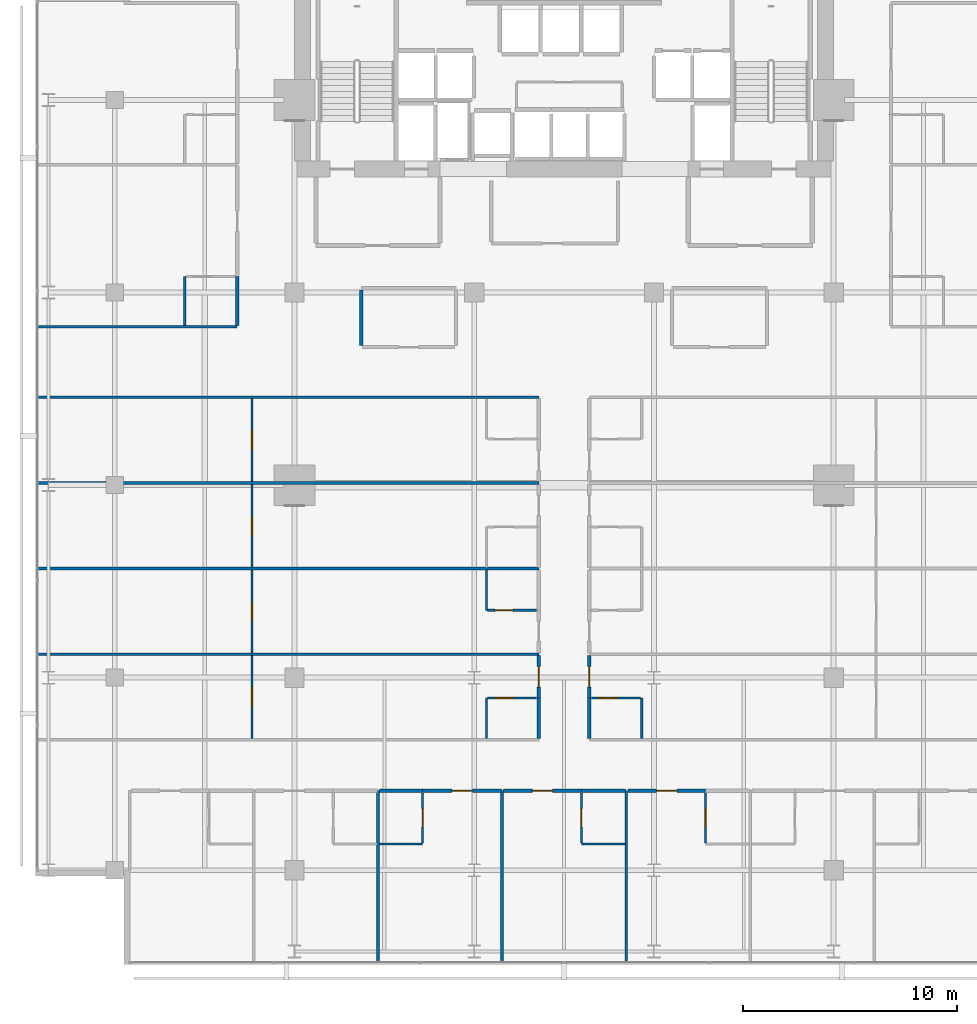
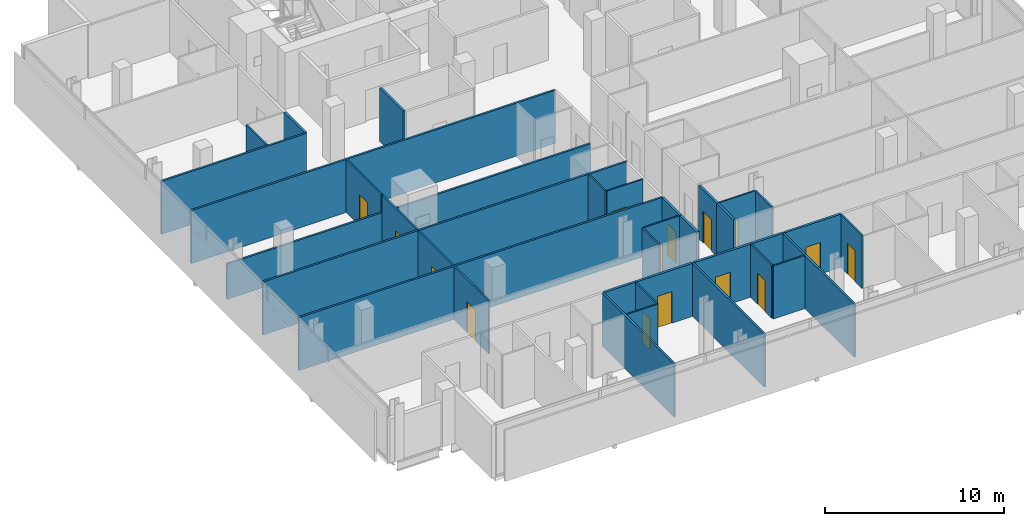
# One storey, part 27 of 34: 35 walls, 15 doors, 15 openings.
"""IFC4 building model written with IfcOpenShell, lengths in metres."""

from ifc_helpers import new_model, si_unit, direction, frame, frame_2d, origin, place, context, subcontext, project, spatial, rectangle, extrude, material, layer, layer_set, type_object, element, fill, save


model = new_model("IFC4")

# Units and contexts
model_context = context("Model", 3, precision=1e-05, world=origin(), true_north=direction((0.0, 1.0)))
body_context = subcontext(model_context, "Body", "Model", "MODEL_VIEW")
ifc_project = project(units=[si_unit("LENGTHUNIT", "METRE"), si_unit("AREAUNIT", "SQUARE_METRE"), si_unit("VOLUMEUNIT", "CUBIC_METRE"), si_unit("PLANEANGLEUNIT", "RADIAN"), si_unit("MASSUNIT", "GRAM", prefix="KILO")], contexts=[model_context])

# Site, building, storey
site_placement = place(None, origin())
site = spatial("IfcSite", under=ifc_project, at=site_placement, CompositionType="ELEMENT")
building_placement = place(site_placement, origin())
building = spatial("IfcBuilding", under=site, at=building_placement, Name="Maruvema Waterfront Hotel and Observation Tower", CompositionType="ELEMENT")
storey_placement = place(building_placement, frame((0.0, 0.0, 127.39990234375)))
storey = spatial("IfcBuildingStorey", under=building, at=storey_placement, Name="L30", CompositionType="ELEMENT", Elevation=127.39990234375)

# Walls
ifc_material_1 = material(Name="Twin-stud acoustic gypsum drywall", Category="gypsum")
ifc_layer_1 = layer(ifc_material_1, 0.14990234375, Name="Acoustic Corridor and Suite Demising Wall 150 mm")
ifc_layer_set_1 = layer_set([ifc_layer_1], Name="Twin-stud acoustic gypsum drywall")
wall_type_1 = type_object("IfcWallType", Name="Acoustic Corridor and Suite Demising Wall 150 mm", PredefinedType="PARTITIONING", material=ifc_layer_set_1)
wall_1_placement = place(storey_placement, frame((28.320068359375, 33.530029296875, 0.0), z_axis=(0.0, 0.0, 1.0), x_axis=(0.0, 1.0, 0.0)))
element("IfcWall", 1, at=wall_1_placement, inside=storey, type_object=wall_type_1, Name="L30 L30-M1 West Wall 017", PredefinedType="PARTITIONING", context=body_context, shape_type="SweptSolid", body=[
    extrude(rectangle(XDim=2.590087890625, YDim=0.14990234375, at=frame_2d((1.294921875, 0.0))), origin(), (0.0, 0.0, 1.0), 3.610107421875),
])
wall_2_placement = place(storey_placement, frame((29.179931640625, 12.719970703125, 0.0), z_axis=(0.0, 0.0, 1.0), x_axis=(1.0, 0.0, 0.0)))
element("IfcWall", 2, at=wall_2_placement, inside=storey, type_object=wall_type_1, Name="L30 Bath L30-S3 Back Wall 036", PredefinedType="PARTITIONING", context=body_context, shape_type="SweptSolid", body=[
    extrude(rectangle(XDim=2.010009765625, YDim=0.14990234375, at=frame_2d((1.0048828125, 0.0))), origin(), (0.0, 0.0, 1.0), 3.610107421875),
])

# Wall, opening, door
wall_3_placement = place(storey_placement, frame((31.18994140625, 12.719970703125, 0.0), z_axis=(0.0, 0.0, 1.0), x_axis=(1.0, 0.0, 0.0)))
wall_3 = element("IfcWall", 3, at=wall_3_placement, inside=storey, type_object=wall_type_1, Name="L30 Unit L30-S3 Corridor Wall 039", PredefinedType="PARTITIONING", context=body_context, shape_type="SweptSolid", body=[
    extrude(rectangle(XDim=3.68994140625, YDim=0.14990234375, at=frame_2d((1.844970703125, 0.0))), origin(), (0.0, 0.0, 1.0), 3.610107421875),
])
opening_1_placement = place(wall_3_placement, frame((1.3701171875, 0.0, 0.0)))
opening_1 = element("IfcOpeningElement", 4, at=opening_1_placement, cuts=wall_3, Name="Opening DR-095", PredefinedType="OPENING", context=body_context, shape_type="SweptSolid", body=[
    extrude(rectangle(XDim=0.949951171875, YDim=2.14990234375, at=frame_2d((0.47509765625, 1.074951171875))), frame((0.0, 0.0849609375, 0.0), z_axis=(0.0, -1.0, 0.0), x_axis=(1.0, 0.0, 0.0)), (0.0, 0.0, 1.0), 0.169921875),
])
ifc_material_2 = material(Name="Acoustic solid-core hardwood timber leaf", Category="wood")
door_type_1 = type_object("IfcDoorType", Name="Guestroom Entrance Fire Door 950x2150 mm", OperationType="NOTDEFINED", PredefinedType="DOOR", material=ifc_material_2)
door_1_placement = place(opening_1_placement, frame((0.949951171875, 0.0, 0.0), z_axis=(0.0, 0.0, 1.0), x_axis=(-1.0, 0.0, 0.0)))
door_1 = element("IfcDoor", 5, at=door_1_placement, inside=storey, type_object=door_type_1, Name="L30 Unit L30-S3 Entrance Door", OperationType="SINGLE_SWING_RIGHT", OverallHeight=2.14990234375, OverallWidth=0.949951171875, PredefinedType="DOOR", context=body_context, shape_type="SweptSolid", body=[
    extrude(rectangle(XDim=0.949951171875, YDim=2.14990234375, at=frame_2d((0.47509765625, 1.074951171875))), frame((0.0, 0.02490234375, 0.0), z_axis=(0.0, -1.0, 0.0), x_axis=(1.0, 0.0, 0.0)), (0.0, 0.0, 1.0), 0.050048828125),
])
fill(opening_1, door_1)

# Wall
wall_4_placement = place(storey_placement, frame((38.610107421875, 12.719970703125, 0.0), z_axis=(0.0, 0.0, 1.0), x_axis=(1.0, 0.0, 0.0)))
element("IfcWall", 6, at=wall_4_placement, inside=storey, type_object=wall_type_1, Name="L30 Bath L30-S4 Back Wall 041", PredefinedType="PARTITIONING", context=body_context, shape_type="SweptSolid", body=[
    extrude(rectangle(XDim=2.06982421875, YDim=0.14990234375, at=frame_2d((1.034912109375, 0.0))), origin(), (0.0, 0.0, 1.0), 3.610107421875),
])

# Wall, opening, door
wall_5_placement = place(storey_placement, frame((34.97998046875, 12.719970703125, 0.0), z_axis=(0.0, 0.0, 1.0), x_axis=(1.0, 0.0, 0.0)))
wall_5 = element("IfcWall", 7, at=wall_5_placement, inside=storey, type_object=wall_type_1, Name="L30 Unit L30-S4 Corridor Wall 044", PredefinedType="PARTITIONING", context=body_context, shape_type="SweptSolid", body=[
    extrude(rectangle(XDim=3.630126953125, YDim=0.14990234375, at=frame_2d((1.81494140625, 0.0))), origin(), (0.0, 0.0, 1.0), 3.610107421875),
])
opening_2_placement = place(wall_5_placement, frame((1.340087890625, 0.0, 0.0)))
opening_2 = element("IfcOpeningElement", 8, at=opening_2_placement, cuts=wall_5, Name="Opening DR-095", PredefinedType="OPENING", context=body_context, shape_type="SweptSolid", body=[
    extrude(rectangle(XDim=0.949951171875, YDim=2.14990234375, at=frame_2d((0.47509765625, 1.074951171875))), frame((0.0, 0.0849609375, 0.0), z_axis=(0.0, -1.0, 0.0), x_axis=(1.0, 0.0, 0.0)), (0.0, 0.0, 1.0), 0.169921875),
])
door_2_placement = place(opening_2_placement, frame((0.949951171875, 0.0, 0.0), z_axis=(0.0, 0.0, 1.0), x_axis=(-1.0, 0.0, 0.0)))
door_2 = element("IfcDoor", 9, at=door_2_placement, inside=storey, type_object=door_type_1, Name="L30 Unit L30-S4 Entrance Door", OperationType="SINGLE_SWING_RIGHT", OverallHeight=2.14990234375, OverallWidth=0.949951171875, PredefinedType="DOOR", context=body_context, shape_type="SweptSolid", body=[
    extrude(rectangle(XDim=0.949951171875, YDim=2.14990234375, at=frame_2d((0.47509765625, 1.074951171875))), frame((0.0, 0.02490234375, 0.0), z_axis=(0.0, -1.0, 0.0), x_axis=(1.0, 0.0, 0.0)), (0.0, 0.0, 1.0), 0.050048828125),
])
fill(opening_2, door_2)

wall_6_placement = place(storey_placement, frame((40.780029296875, 12.719970703125, 0.0), z_axis=(0.0, 0.0, 1.0), x_axis=(1.0, 0.0, 0.0)))
wall_6 = element("IfcWall", 10, at=wall_6_placement, inside=storey, type_object=wall_type_1, Name="L30 Unit L30-S5 Corridor Wall 049", PredefinedType="PARTITIONING", context=body_context, shape_type="SweptSolid", body=[
    extrude(rectangle(XDim=3.6298828125, YDim=0.14990234375, at=frame_2d((1.81494140625, 0.0))), origin(), (0.0, 0.0, 1.0), 3.610107421875),
])
opening_3_placement = place(wall_6_placement, frame((1.340087890625, 0.0, 0.0)))
opening_3 = element("IfcOpeningElement", 11, at=opening_3_placement, cuts=wall_6, Name="Opening DR-095", PredefinedType="OPENING", context=body_context, shape_type="SweptSolid", body=[
    extrude(rectangle(XDim=0.949951171875, YDim=2.14990234375, at=frame_2d((0.47509765625, 1.074951171875))), frame((0.0, 0.0849609375, 0.0), z_axis=(0.0, -1.0, 0.0), x_axis=(1.0, 0.0, 0.0)), (0.0, 0.0, 1.0), 0.169921875),
])
door_3_placement = place(opening_3_placement, frame((0.949951171875, 0.0, 0.0), z_axis=(0.0, 0.0, 1.0), x_axis=(-1.0, 0.0, 0.0)))
door_3 = element("IfcDoor", 12, at=door_3_placement, inside=storey, type_object=door_type_1, Name="L30 Unit L30-S5 Entrance Door", OperationType="SINGLE_SWING_RIGHT", OverallHeight=2.14990234375, OverallWidth=0.949951171875, PredefinedType="DOOR", context=body_context, shape_type="SweptSolid", body=[
    extrude(rectangle(XDim=0.949951171875, YDim=2.14990234375, at=frame_2d((0.47509765625, 1.074951171875))), frame((0.0, 0.02490234375, 0.0), z_axis=(0.0, -1.0, 0.0), x_axis=(1.0, 0.0, 0.0)), (0.0, 0.0, 1.0), 0.050048828125),
])
fill(opening_3, door_3)

# Wall
wall_7_placement = place(storey_placement, frame((36.6201171875, 15.159912109375, 0.0), z_axis=(0.0, 0.0, 1.0), x_axis=(0.0, 1.0, 0.0)))
element("IfcWall", 13, at=wall_7_placement, inside=storey, type_object=wall_type_1, Name="L30 Bath L30-W1 Wall 064", PredefinedType="PARTITIONING", context=body_context, shape_type="SweptSolid", body=[
    extrude(rectangle(XDim=1.89013671875, YDim=0.14990234375, at=frame_2d((0.945068359375, 0.0))), origin(), (0.0, 0.0, 1.0), 3.610107421875),
])

# Wall, opening, door
wall_8_placement = place(storey_placement, frame((36.6201171875, 17.050048828125, 0.0), z_axis=(0.0, 0.0, 1.0), x_axis=(0.0, 1.0, 0.0)))
wall_8 = element("IfcWall", 14, at=wall_8_placement, inside=storey, type_object=wall_type_1, Name="L30 Room L30-W1 Corridor Wall 065", PredefinedType="PARTITIONING", context=body_context, shape_type="SweptSolid", body=[
    extrude(rectangle(XDim=1.989990234375, YDim=0.14990234375, at=frame_2d((0.9951171875, 0.0))), origin(), (0.0, 0.0, 1.0), 3.610107421875),
])
opening_4_placement = place(wall_8_placement, frame((0.52001953125, 0.0, 0.0)))
opening_4 = element("IfcOpeningElement", 15, at=opening_4_placement, cuts=wall_8, Name="Opening DR-095", PredefinedType="OPENING", context=body_context, shape_type="SweptSolid", body=[
    extrude(rectangle(XDim=0.949951171875, YDim=2.14990234375, at=frame_2d((0.47509765625, 1.074951171875))), frame((0.0, 0.0849609375, 0.0), z_axis=(0.0, -1.0, 0.0), x_axis=(1.0, 0.0, 0.0)), (0.0, 0.0, 1.0), 0.169921875),
])
door_4_placement = place(opening_4_placement, origin())
door_4 = element("IfcDoor", 16, at=door_4_placement, inside=storey, type_object=door_type_1, Name="L30 Room L30-W1 Entrance Door", OperationType="SINGLE_SWING_RIGHT", OverallHeight=2.14990234375, OverallWidth=0.949951171875, PredefinedType="DOOR", context=body_context, shape_type="SweptSolid", body=[
    extrude(rectangle(XDim=0.949951171875, YDim=2.14990234375, at=frame_2d((0.47509765625, 1.074951171875))), frame((0.0, 0.02490234375, 0.0), z_axis=(0.0, -1.0, 0.0), x_axis=(1.0, 0.0, 0.0)), (0.0, 0.0, 1.0), 0.050048828125),
])
fill(opening_4, door_4)

# Wall
wall_9_placement = place(storey_placement, frame((38.97998046875, 15.159912109375, 0.0), z_axis=(0.0, 0.0, 1.0), x_axis=(0.0, 1.0, 0.0)))
element("IfcWall", 17, at=wall_9_placement, inside=storey, type_object=wall_type_1, Name="L30 Bath L30-E1 Wall 069", PredefinedType="PARTITIONING", context=body_context, shape_type="SweptSolid", body=[
    extrude(rectangle(XDim=1.89013671875, YDim=0.14990234375, at=frame_2d((0.945068359375, 0.0))), origin(), (0.0, 0.0, 1.0), 3.610107421875),
])

# Wall, opening, door
wall_10_placement = place(storey_placement, frame((38.97998046875, 17.050048828125, 0.0), z_axis=(0.0, 0.0, 1.0), x_axis=(0.0, 1.0, 0.0)))
wall_10 = element("IfcWall", 18, at=wall_10_placement, inside=storey, type_object=wall_type_1, Name="L30 Room L30-E1 Corridor Wall 070", PredefinedType="PARTITIONING", context=body_context, shape_type="SweptSolid", body=[
    extrude(rectangle(XDim=1.989990234375, YDim=0.14990234375, at=frame_2d((0.9951171875, 0.0))), origin(), (0.0, 0.0, 1.0), 3.610107421875),
])
opening_5_placement = place(wall_10_placement, frame((0.52001953125, 0.0, 0.0)))
opening_5 = element("IfcOpeningElement", 19, at=opening_5_placement, cuts=wall_10, Name="Opening DR-095", PredefinedType="OPENING", context=body_context, shape_type="SweptSolid", body=[
    extrude(rectangle(XDim=0.949951171875, YDim=2.14990234375, at=frame_2d((0.47509765625, 1.074951171875))), frame((0.0, 0.0849609375, 0.0), z_axis=(0.0, -1.0, 0.0), x_axis=(1.0, 0.0, 0.0)), (0.0, 0.0, 1.0), 0.169921875),
])
door_5_placement = place(opening_5_placement, frame((0.949951171875, 0.0, 0.0), z_axis=(0.0, 0.0, 1.0), x_axis=(-1.0, 0.0, 0.0)))
door_5 = element("IfcDoor", 20, at=door_5_placement, inside=storey, type_object=door_type_1, Name="L30 Room L30-E1 Entrance Door", OperationType="SINGLE_SWING_LEFT", OverallHeight=2.14990234375, OverallWidth=0.949951171875, PredefinedType="DOOR", context=body_context, shape_type="SweptSolid", body=[
    extrude(rectangle(XDim=0.949951171875, YDim=2.14990234375, at=frame_2d((0.47509765625, 1.074951171875))), frame((0.0, 0.02490234375, 0.0), z_axis=(0.0, -1.0, 0.0), x_axis=(1.0, 0.0, 0.0)), (0.0, 0.0, 1.0), 0.050048828125),
])
fill(opening_5, door_5)

# Walls
wall_11_placement = place(storey_placement, frame((22.52001953125, 34.4599609375, 0.0), z_axis=(0.0, 0.0, 1.0), x_axis=(0.0, 1.0, 0.0)))
element("IfcWall", 21, at=wall_11_placement, inside=storey, type_object=wall_type_1, Name="L30 Bath L30-NW1 Wall 114", PredefinedType="PARTITIONING", context=body_context, shape_type="SweptSolid", body=[
    extrude(rectangle(XDim=2.2900390625, YDim=0.14990234375, at=frame_2d((1.14501953125, 0.0))), origin(), (0.0, 0.0, 1.0), 3.610107421875),
])
ifc_material_3 = material(Name="Moisture-resistant cement-board drywall", Category="gypsum")
ifc_layer_2 = layer(ifc_material_3, 0.10009765625, Name="En-Suite Moisture-Resistant Partition 100 mm")
ifc_layer_set_2 = layer_set([ifc_layer_2], Name="Moisture-resistant cement-board drywall")
wall_type_2 = type_object("IfcWallType", Name="En-Suite Moisture-Resistant Partition 100 mm", PredefinedType="PARTITIONING", material=ifc_layer_set_2)
wall_12_placement = place(storey_placement, frame((29.179931640625, 10.219970703125, 0.0), z_axis=(0.0, 0.0, 1.0), x_axis=(1.0, 0.0, 0.0)))
element("IfcWall", 22, at=wall_12_placement, inside=storey, type_object=wall_type_2, Name="L30 En-Suite L30-S3 South 037", PredefinedType="PARTITIONING", context=body_context, shape_type="SweptSolid", body=[
    extrude(rectangle(XDim=2.010009765625, YDim=0.10009765625, at=frame_2d((1.0048828125, 0.0))), origin(), (0.0, 0.0, 1.0), 3.610107421875),
])

# Wall, opening, door
wall_13_placement = place(storey_placement, frame((31.18994140625, 10.280029296875, 0.0), z_axis=(0.0, 0.0, 1.0), x_axis=(0.0, 1.0, 0.0)))
wall_13 = element("IfcWall", 23, at=wall_13_placement, inside=storey, type_object=wall_type_2, Name="L30 En-Suite L30-S3 East 038", PredefinedType="PARTITIONING", context=body_context, shape_type="SweptSolid", body=[
    extrude(rectangle(XDim=2.340087890625, YDim=0.10009765625, at=frame_2d((1.169921875, 0.0))), origin(), (0.0, 0.0, 1.0), 3.610107421875),
])
opening_6_placement = place(wall_13_placement, frame((0.7451171875, 0.0, 0.0)))
opening_6 = element("IfcOpeningElement", 24, at=opening_6_placement, cuts=wall_13, Name="Opening DR-085", PredefinedType="OPENING", context=body_context, shape_type="SweptSolid", body=[
    extrude(rectangle(XDim=0.85009765625, YDim=2.10009765625, at=frame_2d((0.425048828125, 1.050048828125))), frame((0.0, 0.06005859375, 0.0), z_axis=(0.0, -1.0, 0.0), x_axis=(1.0, 0.0, 0.0)), (0.0, 0.0, 1.0), 0.1201171875),
])
ifc_material_4 = material(Name="Moisture-resistant solid timber leaf", Category="wood")
door_type_2 = type_object("IfcDoorType", Name="En-Suite Bathroom Door 850x2100 mm", OperationType="NOTDEFINED", PredefinedType="DOOR", material=ifc_material_4)
door_6_placement = place(opening_6_placement, frame((0.85009765625, 0.0, 0.0), z_axis=(0.0, 0.0, 1.0), x_axis=(-1.0, 0.0, 0.0)))
door_6 = element("IfcDoor", 25, at=door_6_placement, inside=storey, type_object=door_type_2, Name="L30 En-Suite L30-S3 Door", OperationType="SINGLE_SWING_LEFT", OverallHeight=2.10009765625, OverallWidth=0.85009765625, PredefinedType="DOOR", context=body_context, shape_type="SweptSolid", body=[
    extrude(rectangle(XDim=0.85009765625, YDim=2.10009765625, at=frame_2d((0.425048828125, 1.050048828125))), frame((0.0, 0.02490234375, 0.0), z_axis=(0.0, -1.0, 0.0), x_axis=(1.0, 0.0, 0.0)), (0.0, 0.0, 1.0), 0.050048828125),
])
fill(opening_6, door_6)

# Wall
wall_14_placement = place(storey_placement, frame((38.610107421875, 10.219970703125, 0.0), z_axis=(0.0, 0.0, 1.0), x_axis=(1.0, 0.0, 0.0)))
element("IfcWall", 26, at=wall_14_placement, inside=storey, type_object=wall_type_2, Name="L30 En-Suite L30-S4 South 042", PredefinedType="PARTITIONING", context=body_context, shape_type="SweptSolid", body=[
    extrude(rectangle(XDim=2.0498046875, YDim=0.10009765625, at=frame_2d((1.02490234375, 0.0))), origin(), (0.0, 0.0, 1.0), 3.610107421875),
])

# Wall, opening, door
wall_15_placement = place(storey_placement, frame((38.610107421875, 10.280029296875, 0.0), z_axis=(0.0, 0.0, 1.0), x_axis=(0.0, 1.0, 0.0)))
wall_15 = element("IfcWall", 27, at=wall_15_placement, inside=storey, type_object=wall_type_2, Name="L30 En-Suite L30-S4 West 043", PredefinedType="PARTITIONING", context=body_context, shape_type="SweptSolid", body=[
    extrude(rectangle(XDim=2.340087890625, YDim=0.10009765625, at=frame_2d((1.169921875, 0.0))), origin(), (0.0, 0.0, 1.0), 3.610107421875),
])
opening_7_placement = place(wall_15_placement, frame((0.7451171875, 0.0, 0.0)))
opening_7 = element("IfcOpeningElement", 28, at=opening_7_placement, cuts=wall_15, Name="Opening DR-085", PredefinedType="OPENING", context=body_context, shape_type="SweptSolid", body=[
    extrude(rectangle(XDim=0.85009765625, YDim=2.10009765625, at=frame_2d((0.425048828125, 1.050048828125))), frame((0.0, 0.06005859375, 0.0), z_axis=(0.0, -1.0, 0.0), x_axis=(1.0, 0.0, 0.0)), (0.0, 0.0, 1.0), 0.1201171875),
])
door_7_placement = place(opening_7_placement, origin())
door_7 = element("IfcDoor", 29, at=door_7_placement, inside=storey, type_object=door_type_2, Name="L30 En-Suite L30-S4 Door", OperationType="SINGLE_SWING_LEFT", OverallHeight=2.10009765625, OverallWidth=0.85009765625, PredefinedType="DOOR", context=body_context, shape_type="SweptSolid", body=[
    extrude(rectangle(XDim=0.85009765625, YDim=2.10009765625, at=frame_2d((0.425048828125, 1.050048828125))), frame((0.0, 0.02490234375, 0.0), z_axis=(0.0, -1.0, 0.0), x_axis=(1.0, 0.0, 0.0)), (0.0, 0.0, 1.0), 0.050048828125),
])
fill(opening_7, door_7)

wall_16_placement = place(storey_placement, frame((44.409912109375, 10.280029296875, 0.0), z_axis=(0.0, 0.0, 1.0), x_axis=(0.0, 1.0, 0.0)))
wall_16 = element("IfcWall", 30, at=wall_16_placement, inside=storey, type_object=wall_type_2, Name="L30 En-Suite L30-S5 West 048", PredefinedType="PARTITIONING", context=body_context, shape_type="SweptSolid", body=[
    extrude(rectangle(XDim=2.340087890625, YDim=0.10009765625, at=frame_2d((1.169921875, 0.0))), origin(), (0.0, 0.0, 1.0), 3.610107421875),
])
opening_8_placement = place(wall_16_placement, frame((0.7451171875, 0.0, 0.0)))
opening_8 = element("IfcOpeningElement", 31, at=opening_8_placement, cuts=wall_16, Name="Opening DR-085", PredefinedType="OPENING", context=body_context, shape_type="SweptSolid", body=[
    extrude(rectangle(XDim=0.85009765625, YDim=2.10009765625, at=frame_2d((0.425048828125, 1.050048828125))), frame((0.0, 0.06005859375, 0.0), z_axis=(0.0, -1.0, 0.0), x_axis=(1.0, 0.0, 0.0)), (0.0, 0.0, 1.0), 0.1201171875),
])
door_8_placement = place(opening_8_placement, origin())
door_8 = element("IfcDoor", 32, at=door_8_placement, inside=storey, type_object=door_type_2, Name="L30 En-Suite L30-S5 Door", OperationType="SINGLE_SWING_LEFT", OverallHeight=2.10009765625, OverallWidth=0.85009765625, PredefinedType="DOOR", context=body_context, shape_type="SweptSolid", body=[
    extrude(rectangle(XDim=0.85009765625, YDim=2.10009765625, at=frame_2d((0.425048828125, 1.050048828125))), frame((0.0, 0.02490234375, 0.0), z_axis=(0.0, -1.0, 0.0), x_axis=(1.0, 0.0, 0.0)), (0.0, 0.0, 1.0), 0.050048828125),
])
fill(opening_8, door_8)

# Wall
wall_17_placement = place(storey_placement, frame((34.169921875, 15.159912109375, 0.0), z_axis=(0.0, 0.0, 1.0), x_axis=(0.0, 1.0, 0.0)))
element("IfcWall", 33, at=wall_17_placement, inside=storey, type_object=wall_type_2, Name="L30 En-Suite L30-W1 W 066", PredefinedType="PARTITIONING", context=body_context, shape_type="SweptSolid", body=[
    extrude(rectangle(XDim=1.89013671875, YDim=0.10009765625, at=frame_2d((0.945068359375, 0.0))), origin(), (0.0, 0.0, 1.0), 3.610107421875),
])

# Wall, opening, door
wall_18_placement = place(storey_placement, frame((34.219970703125, 17.050048828125, 0.0), z_axis=(0.0, 0.0, 1.0), x_axis=(1.0, 0.0, 0.0)))
wall_18 = element("IfcWall", 34, at=wall_18_placement, inside=storey, type_object=wall_type_2, Name="L30 En-Suite L30-W1 N 067", PredefinedType="PARTITIONING", context=body_context, shape_type="SweptSolid", body=[
    extrude(rectangle(XDim=2.300048828125, YDim=0.10009765625, at=frame_2d((1.14990234375, 0.0))), origin(), (0.0, 0.0, 1.0), 3.610107421875),
])
opening_9_placement = place(wall_18_placement, frame((0.35009765625, 0.0, 0.0)))
opening_9 = element("IfcOpeningElement", 35, at=opening_9_placement, cuts=wall_18, Name="Opening DR-085", PredefinedType="OPENING", context=body_context, shape_type="SweptSolid", body=[
    extrude(rectangle(XDim=0.85009765625, YDim=2.10009765625, at=frame_2d((0.425048828125, 1.050048828125))), frame((0.0, 0.06005859375, 0.0), z_axis=(0.0, -1.0, 0.0), x_axis=(1.0, 0.0, 0.0)), (0.0, 0.0, 1.0), 0.1201171875),
])
door_9_placement = place(opening_9_placement, origin())
door_9 = element("IfcDoor", 36, at=door_9_placement, inside=storey, type_object=door_type_2, Name="L30 En-Suite L30-W1 Door", OperationType="SINGLE_SWING_LEFT", OverallHeight=2.10009765625, OverallWidth=0.85009765625, PredefinedType="DOOR", context=body_context, shape_type="SweptSolid", body=[
    extrude(rectangle(XDim=0.85009765625, YDim=2.10009765625, at=frame_2d((0.425048828125, 1.050048828125))), frame((0.0, 0.02490234375, 0.0), z_axis=(0.0, -1.0, 0.0), x_axis=(1.0, 0.0, 0.0)), (0.0, 0.0, 1.0), 0.050048828125),
])
fill(opening_9, door_9)

wall_19_placement = place(storey_placement, frame((23.213623046875, 15.159912109375, 0.0), z_axis=(0.0, 0.0, 1.0), x_axis=(0.0, 1.0, 0.0)))
wall_19 = element("IfcWall", 37, at=wall_19_placement, inside=storey, type_object=wall_type_2, Name="L30 Suite L30-W1 Split 068", PredefinedType="PARTITIONING", context=body_context, shape_type="SweptSolid", body=[
    extrude(rectangle(XDim=3.880126953125, YDim=0.10009765625, at=frame_2d((1.93994140625, 0.0))), origin(), (0.0, 0.0, 1.0), 3.610107421875),
])
opening_10_placement = place(wall_19_placement, frame((1.489990234375, 0.0, 0.0)))
opening_10 = element("IfcOpeningElement", 38, at=opening_10_placement, cuts=wall_19, Name="Opening DR-090", PredefinedType="OPENING", context=body_context, shape_type="SweptSolid", body=[
    extrude(rectangle(XDim=0.89990234375, YDim=2.10009765625, at=frame_2d((0.449951171875, 1.050048828125))), frame((0.0, 0.06005859375, 0.0), z_axis=(0.0, -1.0, 0.0), x_axis=(1.0, 0.0, 0.0)), (0.0, 0.0, 1.0), 0.1201171875),
])
ifc_material_5 = material(Name="Solid-core lacquered timber leaf", Category="wood")
door_type_3 = type_object("IfcDoorType", Name="Accessible Toilet and Room Door 900x2100 mm", OperationType="NOTDEFINED", PredefinedType="DOOR", material=ifc_material_5)
door_10_placement = place(opening_10_placement, origin())
door_10 = element("IfcDoor", 39, at=door_10_placement, inside=storey, type_object=door_type_3, Name="L30 Suite L30-W1 Bedroom Door", OperationType="SINGLE_SWING_LEFT", OverallHeight=2.10009765625, OverallWidth=0.89990234375, PredefinedType="DOOR", context=body_context, shape_type="SweptSolid", body=[
    extrude(rectangle(XDim=0.89990234375, YDim=2.10009765625, at=frame_2d((0.449951171875, 1.050048828125))), frame((0.0, 0.02490234375, 0.0), z_axis=(0.0, -1.0, 0.0), x_axis=(1.0, 0.0, 0.0)), (0.0, 0.0, 1.0), 0.050048828125),
])
fill(opening_10, door_10)

# Wall
wall_20_placement = place(storey_placement, frame((41.429931640625, 15.159912109375, 0.0), z_axis=(0.0, 0.0, 1.0), x_axis=(0.0, 1.0, 0.0)))
element("IfcWall", 40, at=wall_20_placement, inside=storey, type_object=wall_type_2, Name="L30 En-Suite L30-E1 E 071", PredefinedType="PARTITIONING", context=body_context, shape_type="SweptSolid", body=[
    extrude(rectangle(XDim=1.89013671875, YDim=0.10009765625, at=frame_2d((0.945068359375, 0.0))), origin(), (0.0, 0.0, 1.0), 3.610107421875),
])

# Wall, opening, door
wall_21_placement = place(storey_placement, frame((39.080078125, 17.050048828125, 0.0), z_axis=(0.0, 0.0, 1.0), x_axis=(1.0, 0.0, 0.0)))
wall_21 = element("IfcWall", 41, at=wall_21_placement, inside=storey, type_object=wall_type_2, Name="L30 En-Suite L30-E1 N 072", PredefinedType="PARTITIONING", context=body_context, shape_type="SweptSolid", body=[
    extrude(rectangle(XDim=2.2998046875, YDim=0.10009765625, at=frame_2d((1.14990234375, 0.0))), origin(), (0.0, 0.0, 1.0), 3.610107421875),
])
opening_11_placement = place(wall_21_placement, frame((0.35009765625, 0.0, 0.0)))
opening_11 = element("IfcOpeningElement", 42, at=opening_11_placement, cuts=wall_21, Name="Opening DR-085", PredefinedType="OPENING", context=body_context, shape_type="SweptSolid", body=[
    extrude(rectangle(XDim=0.85009765625, YDim=2.10009765625, at=frame_2d((0.425048828125, 1.050048828125))), frame((0.0, 0.06005859375, 0.0), z_axis=(0.0, -1.0, 0.0), x_axis=(1.0, 0.0, 0.0)), (0.0, 0.0, 1.0), 0.1201171875),
])
door_11_placement = place(opening_11_placement, origin())
door_11 = element("IfcDoor", 43, at=door_11_placement, inside=storey, type_object=door_type_2, Name="L30 En-Suite L30-E1 Door", OperationType="SINGLE_SWING_RIGHT", OverallHeight=2.10009765625, OverallWidth=0.85009765625, PredefinedType="DOOR", context=body_context, shape_type="SweptSolid", body=[
    extrude(rectangle(XDim=0.85009765625, YDim=2.10009765625, at=frame_2d((0.425048828125, 1.050048828125))), frame((0.0, 0.02490234375, 0.0), z_axis=(0.0, -1.0, 0.0), x_axis=(1.0, 0.0, 0.0)), (0.0, 0.0, 1.0), 0.050048828125),
])
fill(opening_11, door_11)

# Wall
wall_22_placement = place(storey_placement, frame((34.169921875, 21.14990234375, 0.0), z_axis=(0.0, 0.0, 1.0), x_axis=(0.0, 1.0, 0.0)))
element("IfcWall", 44, at=wall_22_placement, inside=storey, type_object=wall_type_2, Name="L30 En-Suite L30-W2 W 078", PredefinedType="PARTITIONING", context=body_context, shape_type="SweptSolid", body=[
    extrude(rectangle(XDim=1.89013671875, YDim=0.10009765625, at=frame_2d((0.945068359375, 0.0))), origin(), (0.0, 0.0, 1.0), 3.610107421875),
])

# Wall, opening, door
wall_23_placement = place(storey_placement, frame((34.219970703125, 21.14990234375, 0.0), z_axis=(0.0, 0.0, 1.0), x_axis=(1.0, 0.0, 0.0)))
wall_23 = element("IfcWall", 45, at=wall_23_placement, inside=storey, type_object=wall_type_2, Name="L30 En-Suite L30-W2 S 079", PredefinedType="PARTITIONING", context=body_context, shape_type="SweptSolid", body=[
    extrude(rectangle(XDim=2.300048828125, YDim=0.10009765625, at=frame_2d((1.14990234375, 0.0))), origin(), (0.0, 0.0, 1.0), 3.610107421875),
])
opening_12_placement = place(wall_23_placement, frame((0.35009765625, 0.0, 0.0)))
opening_12 = element("IfcOpeningElement", 46, at=opening_12_placement, cuts=wall_23, Name="Opening DR-085", PredefinedType="OPENING", context=body_context, shape_type="SweptSolid", body=[
    extrude(rectangle(XDim=0.85009765625, YDim=2.10009765625, at=frame_2d((0.425048828125, 1.050048828125))), frame((0.0, 0.06005859375, 0.0), z_axis=(0.0, -1.0, 0.0), x_axis=(1.0, 0.0, 0.0)), (0.0, 0.0, 1.0), 0.1201171875),
])
door_12_placement = place(opening_12_placement, frame((0.85009765625, 0.0, 0.0), z_axis=(0.0, 0.0, 1.0), x_axis=(-1.0, 0.0, 0.0)))
door_12 = element("IfcDoor", 47, at=door_12_placement, inside=storey, type_object=door_type_2, Name="L30 En-Suite L30-W2 Door", OperationType="SINGLE_SWING_LEFT", OverallHeight=2.10009765625, OverallWidth=0.85009765625, PredefinedType="DOOR", context=body_context, shape_type="SweptSolid", body=[
    extrude(rectangle(XDim=0.85009765625, YDim=2.10009765625, at=frame_2d((0.425048828125, 1.050048828125))), frame((0.0, 0.02490234375, 0.0), z_axis=(0.0, -1.0, 0.0), x_axis=(1.0, 0.0, 0.0)), (0.0, 0.0, 1.0), 0.050048828125),
])
fill(opening_12, door_12)

wall_24_placement = place(storey_placement, frame((23.213623046875, 19.159912109375, 0.0), z_axis=(0.0, 0.0, 1.0), x_axis=(0.0, 1.0, 0.0)))
wall_24 = element("IfcWall", 48, at=wall_24_placement, inside=storey, type_object=wall_type_2, Name="L30 Suite L30-W2 Split 080", PredefinedType="PARTITIONING", context=body_context, shape_type="SweptSolid", body=[
    extrude(rectangle(XDim=3.880126953125, YDim=0.10009765625, at=frame_2d((1.93994140625, 0.0))), origin(), (0.0, 0.0, 1.0), 3.610107421875),
])
opening_13_placement = place(wall_24_placement, frame((1.489990234375, 0.0, 0.0)))
opening_13 = element("IfcOpeningElement", 49, at=opening_13_placement, cuts=wall_24, Name="Opening DR-090", PredefinedType="OPENING", context=body_context, shape_type="SweptSolid", body=[
    extrude(rectangle(XDim=0.89990234375, YDim=2.10009765625, at=frame_2d((0.449951171875, 1.050048828125))), frame((0.0, 0.06005859375, 0.0), z_axis=(0.0, -1.0, 0.0), x_axis=(1.0, 0.0, 0.0)), (0.0, 0.0, 1.0), 0.1201171875),
])
door_13_placement = place(opening_13_placement, origin())
door_13 = element("IfcDoor", 50, at=door_13_placement, inside=storey, type_object=door_type_3, Name="L30 Suite L30-W2 Bedroom Door", OperationType="SINGLE_SWING_LEFT", OverallHeight=2.10009765625, OverallWidth=0.89990234375, PredefinedType="DOOR", context=body_context, shape_type="SweptSolid", body=[
    extrude(rectangle(XDim=0.89990234375, YDim=2.10009765625, at=frame_2d((0.449951171875, 1.050048828125))), frame((0.0, 0.02490234375, 0.0), z_axis=(0.0, -1.0, 0.0), x_axis=(1.0, 0.0, 0.0)), (0.0, 0.0, 1.0), 0.050048828125),
])
fill(opening_13, door_13)

wall_25_placement = place(storey_placement, frame((23.213623046875, 23.159912109375, 0.0), z_axis=(0.0, 0.0, 1.0), x_axis=(0.0, 1.0, 0.0)))
wall_25 = element("IfcWall", 51, at=wall_25_placement, inside=storey, type_object=wall_type_2, Name="L30 Suite L30-W3 Split 092", PredefinedType="PARTITIONING", context=body_context, shape_type="SweptSolid", body=[
    extrude(rectangle(XDim=3.880126953125, YDim=0.10009765625, at=frame_2d((1.93994140625, 0.0))), origin(), (0.0, 0.0, 1.0), 3.610107421875),
])
opening_14_placement = place(wall_25_placement, frame((1.489990234375, 0.0, 0.0)))
opening_14 = element("IfcOpeningElement", 52, at=opening_14_placement, cuts=wall_25, Name="Opening DR-090", PredefinedType="OPENING", context=body_context, shape_type="SweptSolid", body=[
    extrude(rectangle(XDim=0.89990234375, YDim=2.10009765625, at=frame_2d((0.449951171875, 1.050048828125))), frame((0.0, 0.06005859375, 0.0), z_axis=(0.0, -1.0, 0.0), x_axis=(1.0, 0.0, 0.0)), (0.0, 0.0, 1.0), 0.1201171875),
])
door_14_placement = place(opening_14_placement, origin())
door_14 = element("IfcDoor", 53, at=door_14_placement, inside=storey, type_object=door_type_3, Name="L30 Suite L30-W3 Bedroom Door", OperationType="SINGLE_SWING_LEFT", OverallHeight=2.10009765625, OverallWidth=0.89990234375, PredefinedType="DOOR", context=body_context, shape_type="SweptSolid", body=[
    extrude(rectangle(XDim=0.89990234375, YDim=2.10009765625, at=frame_2d((0.449951171875, 1.050048828125))), frame((0.0, 0.02490234375, 0.0), z_axis=(0.0, -1.0, 0.0), x_axis=(1.0, 0.0, 0.0)), (0.0, 0.0, 1.0), 0.050048828125),
])
fill(opening_14, door_14)

wall_26_placement = place(storey_placement, frame((23.213623046875, 27.159912109375, 0.0), z_axis=(0.0, 0.0, 1.0), x_axis=(0.0, 1.0, 0.0)))
wall_26 = element("IfcWall", 54, at=wall_26_placement, inside=storey, type_object=wall_type_2, Name="L30 Suite L30-W4 Split 104", PredefinedType="PARTITIONING", context=body_context, shape_type="SweptSolid", body=[
    extrude(rectangle(XDim=3.880126953125, YDim=0.10009765625, at=frame_2d((1.93994140625, 0.0))), origin(), (0.0, 0.0, 1.0), 3.610107421875),
])
opening_15_placement = place(wall_26_placement, frame((1.489990234375, 0.0, 0.0)))
opening_15 = element("IfcOpeningElement", 55, at=opening_15_placement, cuts=wall_26, Name="Opening DR-090", PredefinedType="OPENING", context=body_context, shape_type="SweptSolid", body=[
    extrude(rectangle(XDim=0.89990234375, YDim=2.10009765625, at=frame_2d((0.449951171875, 1.050048828125))), frame((0.0, 0.06005859375, 0.0), z_axis=(0.0, -1.0, 0.0), x_axis=(1.0, 0.0, 0.0)), (0.0, 0.0, 1.0), 0.1201171875),
])
door_15_placement = place(opening_15_placement, origin())
door_15 = element("IfcDoor", 56, at=door_15_placement, inside=storey, type_object=door_type_3, Name="L30 Suite L30-W4 Bedroom Door", OperationType="SINGLE_SWING_LEFT", OverallHeight=2.10009765625, OverallWidth=0.89990234375, PredefinedType="DOOR", context=body_context, shape_type="SweptSolid", body=[
    extrude(rectangle(XDim=0.89990234375, YDim=2.10009765625, at=frame_2d((0.449951171875, 1.050048828125))), frame((0.0, 0.02490234375, 0.0), z_axis=(0.0, -1.0, 0.0), x_axis=(1.0, 0.0, 0.0)), (0.0, 0.0, 1.0), 0.050048828125),
])
fill(opening_15, door_15)

# Walls
wall_27_placement = place(storey_placement, frame((20.070068359375, 34.4599609375, 0.0), z_axis=(0.0, 0.0, 1.0), x_axis=(0.0, 1.0, 0.0)))
element("IfcWall", 57, at=wall_27_placement, inside=storey, type_object=wall_type_2, Name="L30 En-Suite L30-NW1 W 116", PredefinedType="PARTITIONING", context=body_context, shape_type="SweptSolid", body=[
    extrude(rectangle(XDim=2.2900390625, YDim=0.10009765625, at=frame_2d((1.14501953125, 0.0))), origin(), (0.0, 0.0, 1.0), 3.610107421875),
])
ifc_material_6 = material(Name="Acoustic gypsum plasterboard drywall", Category="gypsum")
ifc_layer_3 = layer(ifc_material_6, 0.125, Name="Guestroom Acoustic Demising Wall 125 mm")
ifc_layer_set_3 = layer_set([ifc_layer_3], Name="Acoustic gypsum plasterboard drywall")
wall_type_3 = type_object("IfcWallType", Name="Guestroom Acoustic Demising Wall 125 mm", PredefinedType="PARTITIONING", material=ifc_layer_set_3)
for number, where, z_axis, x_axis, name in (
    (58, (29.10009765625, 4.699951171875, 0.0), (0.0, 0.0, 1.0), (0.0, 1.0, 0.0), "L30 Z2 S Demising 3 035"),
    (59, (34.89990234375, 4.699951171875, 0.0), (0.0, 0.0, 1.0), (0.0, 1.0, 0.0), "L30 Z2 S Demising 4 040"),
    (60, (40.699951171875, 4.699951171875, 0.0), (0.0, 0.0, 1.0), (0.0, 1.0, 0.0), "L30 Z2 S Demising 5 045"),
):
    element("IfcWall", number, at=place(storey_placement, frame(where, z_axis=z_axis, x_axis=x_axis)), inside=storey, type_object=wall_type_3, Name=name, PredefinedType="PARTITIONING", context=body_context, shape_type="SweptSolid", body=[
        extrude(rectangle(XDim=8.02001953125, YDim=0.125, at=frame_2d((4.010009765625, 0.0))), origin(), (0.0, 0.0, 1.0), 3.610107421875),
    ])
for number, where, z_axis, x_axis, name in (
    (61, (13.199951171875, 31.10009765625, 0.0), (0.0, 0.0, 1.0), (1.0, 0.0, 0.0), "L30 Z2 W Top End 062"),
    (62, (13.199951171875, 19.10009765625, 0.0), (0.0, 0.0, 1.0), (1.0, 0.0, 0.0), "L30 Z2 W Demising 2 074"),
    (63, (13.199951171875, 23.10009765625, 0.0), (0.0, 0.0, 1.0), (1.0, 0.0, 0.0), "L30 Z2 W Demising 3 086"),
):
    element("IfcWall", number, at=place(storey_placement, frame(where, z_axis=z_axis, x_axis=x_axis)), inside=storey, type_object=wall_type_3, Name=name, PredefinedType="PARTITIONING", context=body_context, shape_type="SweptSolid", body=[
        extrude(rectangle(XDim=23.420166015625, YDim=0.125, at=frame_2d((11.7099609375, 0.0))), origin(), (0.0, 0.0, 1.0), 3.610107421875),
    ])
wall_28_placement = place(storey_placement, frame((13.199951171875, 27.10009765625, 0.0), z_axis=(0.0, 0.0, 1.0), x_axis=(1.0, 0.0, 0.0)))
element("IfcWall", 64, at=wall_28_placement, inside=storey, type_object=wall_type_3, Name="L30 Z2 W Demising 4 098", PredefinedType="PARTITIONING", context=body_context, shape_type="SweptSolid", body=[
    extrude(rectangle(XDim=23.420166015625, YDim=0.125, at=frame_2d((11.7099609375, 0.0))), origin(), (0.0, 0.0, 1.0), 2.41015625),
])
wall_29_placement = place(storey_placement, frame((13.199951171875, 34.39990234375, 0.0), z_axis=(0.0, 0.0, 1.0), x_axis=(1.0, 0.0, 0.0)))
element("IfcWall", 65, at=wall_29_placement, inside=storey, type_object=wall_type_3, Name="L30 Z2 NW Bot End 110", PredefinedType="PARTITIONING", context=body_context, shape_type="SweptSolid", body=[
    extrude(rectangle(XDim=9.320068359375, YDim=0.125, at=frame_2d((4.66015625, 0.0))), origin(), (0.0, 0.0, 1.0), 3.610107421875),
])

save(model, "model.ifc")
